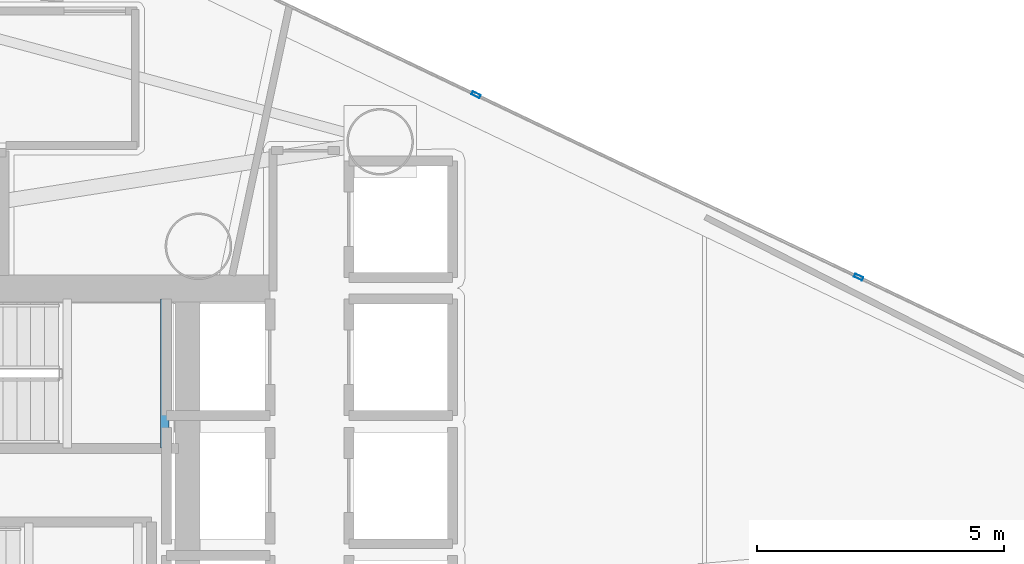
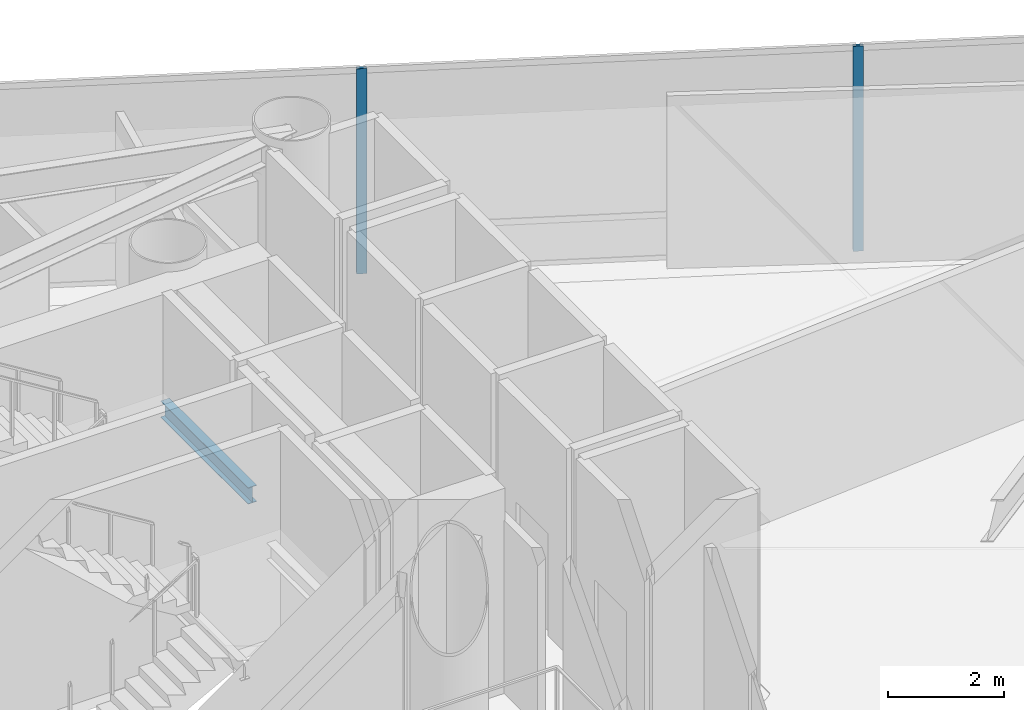
# One storey, part 11 of 21: 2 members, 1 beam, 1 element without a shape of its own.
"""IFC4 building model written with IfcOpenShell, lengths in metres."""

from ifc_helpers import new_model, si_unit, direction, frame, origin, origin_2d, place, context, subcontext, project, spatial, hollow_rectangle, i_section, extrude, material, layer, layer_set, material_profile, profile_set, type_object, element, aggregate, save


model = new_model("IFC4")

# Units and contexts
model_context = context("Model", 3, precision=1e-05, world=origin(), true_north=direction((0.0, 1.0)))
body_context = subcontext(model_context, "Body", "Model", "MODEL_VIEW")
ifc_project = project(units=[si_unit("LENGTHUNIT", "METRE"), si_unit("AREAUNIT", "SQUARE_METRE"), si_unit("VOLUMEUNIT", "CUBIC_METRE"), si_unit("PLANEANGLEUNIT", "RADIAN"), si_unit("MASSUNIT", "GRAM", prefix="KILO")], contexts=[model_context])

# Site, building, storey
site_placement = place(None, origin())
site = spatial("IfcSite", under=ifc_project, at=site_placement, CompositionType="ELEMENT")
building_placement = place(site_placement, origin())
building = spatial("IfcBuilding", under=site, at=building_placement, Name="Qianvela Tower", CompositionType="ELEMENT")
storey_placement = place(building_placement, frame((0.0, 0.0, 143.10009765625)))
storey = spatial("IfcBuildingStorey", under=building, at=storey_placement, Name="L36", CompositionType="ELEMENT", Elevation=143.10009765625)

# Beam
ifc_material_1 = material(Name="Steel Q355B", Category="steel")
ifc_material_profile_1 = material_profile(ifc_material_1, i_section(OverallWidth=0.175048828125, OverallDepth=0.35009765625, WebThickness=0.007080078125, FlangeThickness=0.010986328125, at=origin_2d()), Name="HN350x175x7x11")
ifc_profile_set_1 = profile_set([ifc_material_profile_1], Name="Steel Q355B")
beam_type = type_object("IfcBeamType", Name="BM-HN350-JOIST", PredefinedType="JOIST", material=ifc_profile_set_1)
beam_placement = place(storey_placement, frame((37.719970703125, 29.4599609375, 1.875), z_axis=(0.0, 1.0, 0.0), x_axis=(-1.0, 0.0, 0.0)))
element("IfcBeam", 1, at=beam_placement, inside=storey, type_object=beam_type, Name="L36 Stair ST-1 Landing Support Beam 1.2", PredefinedType="JOIST", context=body_context, shape_type="SweptSolid", body=[
    extrude(i_section(OverallWidth=0.175048828125, OverallDepth=0.35009765625, WebThickness=0.007080078125, FlangeThickness=0.010986328125, at=origin_2d()), origin(), (0.0, 0.0, 1.0), 3.02001953125),
])

# Curtain wall, members
ifc_material_2 = material(Name="Anodised Architectural Aluminium and Low-E Glass", Category="aluminium")
ifc_layer = layer(ifc_material_2, 0.18994140625)
ifc_layer_set = layer_set([ifc_layer], Name="Anodised Architectural Aluminium and Low-E Glass")
curtain_wall_type = type_object("IfcCurtainWallType", Name="CW-SKYLOBBY", PredefinedType="USERDEFINED", material=ifc_layer_set)
curtain_wall_placement = place(storey_placement, origin())
curtain_wall = element("IfcCurtainWall", 2, at=curtain_wall_placement, inside=storey, type_object=curtain_wall_type, Name="L36 CW-SKYLOBBY Curtain Wall 02A", ObjectType="CURTAIN_WALL_SYSTEM", PredefinedType="USERDEFINED")
ifc_material_3 = material(Name="Anodised Architectural Aluminium 6063-T6", Category="aluminium")
ifc_material_profile_2 = material_profile(ifc_material_3, hollow_rectangle(XDim=0.070068359375, YDim=0.179931640625, WallThickness=0.0048828125, at=origin_2d()), Name="ALU-MULL-70x180")
ifc_profile_set_2 = profile_set([ifc_material_profile_2], Name="Anodised Architectural Aluminium 6063-T6")
member_type = type_object("IfcMemberType", Name="CW-SKYLOBBY-MULL", PredefinedType="MULLION", material=ifc_profile_set_2)
member_1_placement = place(storey_placement, frame((51.784423828125, 32.92578125, 0.0), z_axis=(0.0, 0.0, 1.0), x_axis=(-0.430088209354, -0.90278686974, 0.0)))
member_1 = element("IfcMember", 3, at=member_1_placement, type_object=member_type, Name="CW-7 mullion 2", PredefinedType="MULLION", context=body_context, shape_type="SweptSolid", body=[
    extrude(hollow_rectangle(XDim=0.070068359375, YDim=0.179931640625, WallThickness=0.0048828125, at=origin_2d()), origin(), (0.0, 0.0, 1.0), 4.31982421875),
])
member_2_placement = place(storey_placement, frame((44.0263671875, 36.62158203125, 0.0), z_axis=(0.0, 0.0, 1.0), x_axis=(-0.430088209354, -0.90278686974, 0.0)))
member_2 = element("IfcMember", 4, at=member_2_placement, type_object=member_type, Name="CW-7 mullion 3", PredefinedType="MULLION", context=body_context, shape_type="SweptSolid", body=[
    extrude(hollow_rectangle(XDim=0.070068359375, YDim=0.179931640625, WallThickness=0.0048828125, at=origin_2d()), origin(), (0.0, 0.0, 1.0), 4.31982421875),
])
aggregate(curtain_wall, [member_1, member_2])

save(model, "model.ifc")
